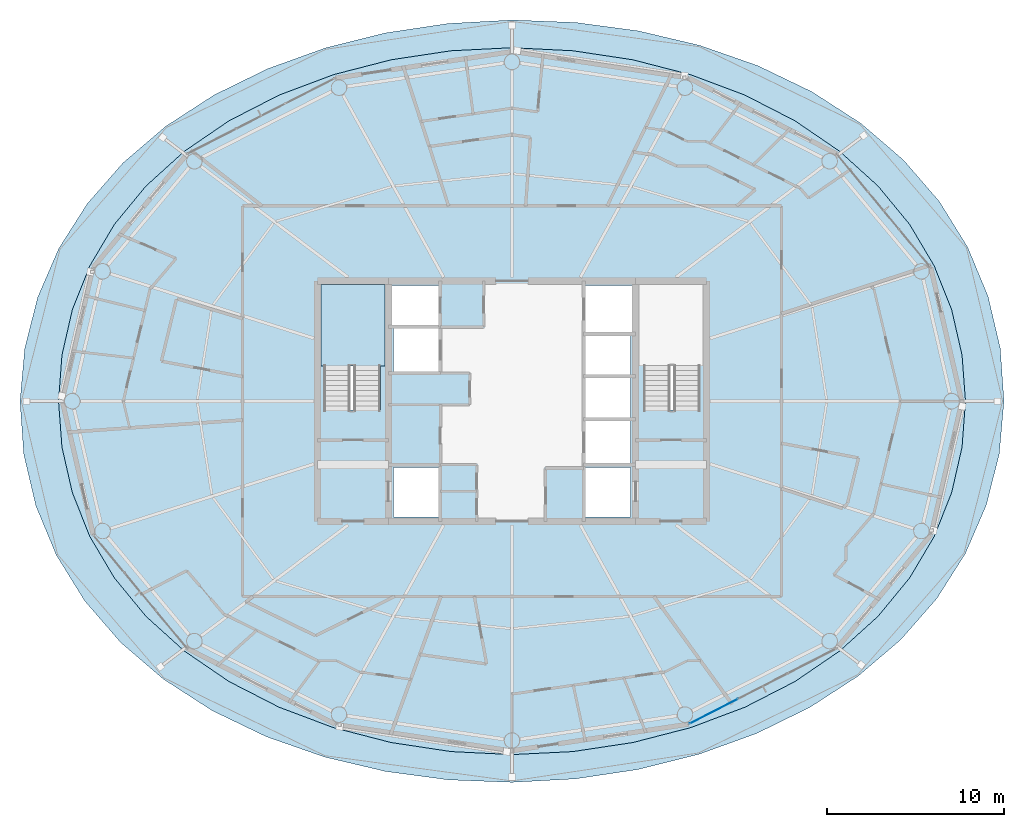
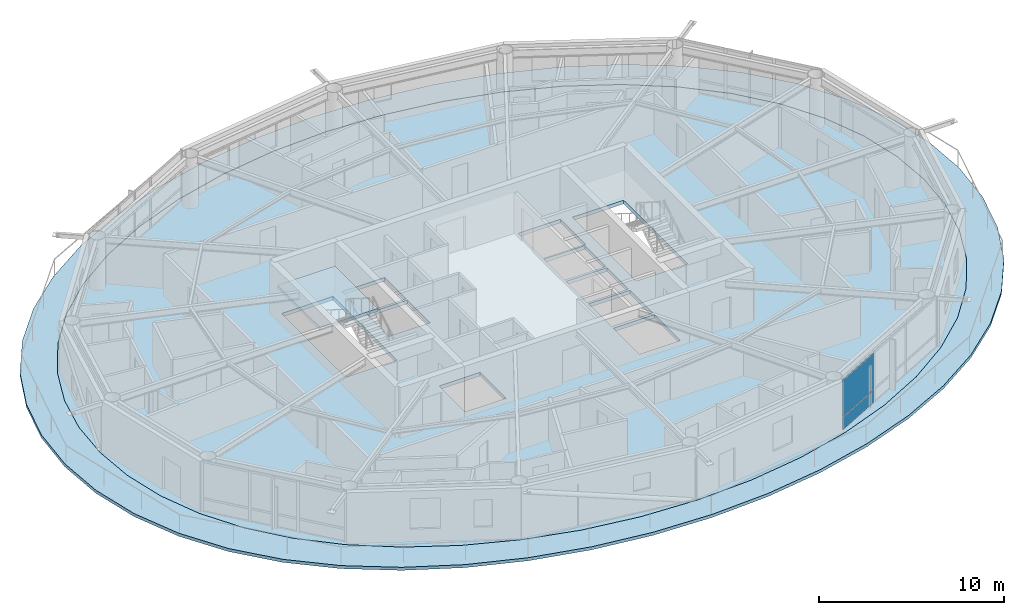
# One storey, part 13 of 23: 3 slabs, 2 plates, 2 elements without a shape of their own.
"""IFC4 building model written with IfcOpenShell, lengths in metres."""

import ifcopenshell
import ifcopenshell.guid

model = None  # the IFC model being written
_history = None  # IfcOwnerHistory: only IFC2X3 demands one
_inside = {}  # id of a spatial element -> (the spatial element, [elements in it])
_under = {}  # id of a project, library or spatial element -> (it, [spatial elements below it])
_declared = {}  # id of a project -> (the project, [libraries it declares])
_typed = {}  # id of a type object -> (the type object, [elements of that type])
_made_of = {}  # id of a material, layer set ... -> (it, [elements and type objects made of it])


def new_model(schema):
    """Start an empty IFC model of exactly this schema.

    Asked for "IFC4X3", IfcOpenShell would pick the latest addendum, in which some entities
    have other attributes; the version numbers below select the first issue.
    IFC2X3 requires an IfcOwnerHistory on every rooted entity: one is made here for all.
    """
    global model, _history
    if schema == "IFC4X3":
        model = ifcopenshell.file(schema_version=(4, 3, 0, 0))
    else:
        model = ifcopenshell.file(schema=schema)
    _inside.clear()
    _under.clear()
    _declared.clear()
    _typed.clear()
    _made_of.clear()
    _history = None
    if model.schema == "IFC2X3":
        org = make("IfcOrganization", Name="unknown")
        user = make(
            "IfcPersonAndOrganization",
            ThePerson=make("IfcPerson", FamilyName="unknown"),
            TheOrganization=org,
        )
        app = make(
            "IfcApplication",
            ApplicationDeveloper=org,
            Version="unknown",
            ApplicationFullName="unknown",
            ApplicationIdentifier="unknown",
        )
        _history = make(
            "IfcOwnerHistory",
            OwningUser=user,
            OwningApplication=app,
            ChangeAction="ADDED",
            CreationDate=0,
        )
    return model


def make(cls, **values):
    """One entity of the class cls with the attributes given. An attribute that is None is left unset."""
    return model.create_entity(
        cls, **{name: value for name, value in values.items() if value is not None}
    )


def rooted(cls, **values):
    """An entity with a GlobalId (a new one), such as an element, a storey or a relation."""
    return make(cls, GlobalId=ifcopenshell.guid.new(), OwnerHistory=_history, **values)


def si_unit(unit_type, name, prefix=None):
    """IfcSIUnit, for example si_unit("LENGTHUNIT", "METRE", prefix="MILLI")."""
    return make("IfcSIUnit", UnitType=unit_type, Prefix=prefix, Name=name)


def assignment(units):
    """IfcUnitAssignment: the units of a project."""
    return None if units is None else make("IfcUnitAssignment", Units=units)


def point(xyz):
    """IfcCartesianPoint."""
    return None if xyz is None else make("IfcCartesianPoint", Coordinates=xyz)


def direction(xyz):
    """IfcDirection."""
    return None if xyz is None else make("IfcDirection", DirectionRatios=xyz)


def frame(location, z_axis=None, x_axis=None):
    """IfcAxis2Placement3D, a coordinate frame: its origin and axes. An axis left out is left unset."""
    return make(
        "IfcAxis2Placement3D",
        Location=point(location),
        Axis=direction(z_axis),
        RefDirection=direction(x_axis),
    )


def frame_2d(location, x_axis=None):
    """IfcAxis2Placement2D, a coordinate frame in the plane: its origin and x axis."""
    return make(
        "IfcAxis2Placement2D", Location=point(location), RefDirection=direction(x_axis)
    )


def origin():
    """The frame at (0, 0, 0) with its axes left unset."""
    return frame((0.0, 0.0, 0.0))


def origin_2d():
    """The frame at (0, 0) in the plane with its x axis left unset."""
    return frame_2d((0.0, 0.0))


def place(relative_to, where):
    """IfcLocalPlacement: puts the frame where relative to a parent placement (None: the world)."""
    return make(
        "IfcLocalPlacement", PlacementRelTo=relative_to, RelativePlacement=where
    )


def context(
    kind, dimensions, precision=None, world=None, true_north=None, identifier=None
):
    """IfcGeometricRepresentationContext, for example the 3D "Model" context."""
    return make(
        "IfcGeometricRepresentationContext",
        ContextIdentifier=identifier,
        ContextType=kind,
        CoordinateSpaceDimension=dimensions,
        Precision=precision,
        WorldCoordinateSystem=world,
        TrueNorth=true_north,
    )


def subcontext(parent, identifier, kind, view, scale=None):
    """IfcGeometricRepresentationSubContext, for example "Body" below "Model"."""
    return make(
        "IfcGeometricRepresentationSubContext",
        ContextIdentifier=identifier,
        ContextType=kind,
        ParentContext=parent,
        TargetScale=scale,
        TargetView=view,
    )


def project(units=None, contexts=None):
    """IfcProject with its units and contexts."""
    return rooted(
        "IfcProject",
        Name="project",
        RepresentationContexts=contexts,
        UnitsInContext=assignment(units),
    )


def spatial(cls, under=None, at=None, **own):
    """A site, building, storey or space (cls), placed at a placement, below another one or the project."""
    s = rooted(cls, ObjectPlacement=at, **own)
    if under is not None:
        _under.setdefault(under.id(), (under, []))[1].append(s)
    return s


def polyline(points):
    """IfcPolyline through the points."""
    return make("IfcPolyline", Points=[point(p) for p in points])


def profile(cls, at=None, kind="AREA", **sizes):
    """A parametric profile (cls). Its sizes go by their IFC names, for example OverallWidth=200.0."""
    return make(cls, ProfileType=kind, Position=at, **sizes)


def rectangle(**sizes):
    """IfcRectangleProfileDef."""
    return profile("IfcRectangleProfileDef", **sizes)


def outline(outer, holes=None, kind="AREA"):
    """IfcArbitraryClosedProfileDef: a profile drawn as a closed curve; with holes, ...WithVoids."""
    if holes is None:
        return make("IfcArbitraryClosedProfileDef", ProfileType=kind, OuterCurve=outer)
    return make(
        "IfcArbitraryProfileDefWithVoids",
        ProfileType=kind,
        OuterCurve=outer,
        InnerCurves=holes,
    )


def extrude(swept, where, along, depth):
    """IfcExtrudedAreaSolid: the profile swept, set in the frame where, extruded along a direction by depth."""
    return make(
        "IfcExtrudedAreaSolid",
        SweptArea=swept,
        Position=where,
        ExtrudedDirection=direction(along),
        Depth=depth,
    )


def shape(context_of_items, identifier, shape_type, items):
    """IfcShapeRepresentation: the items that make up one representation, for example the "Body"."""
    return make(
        "IfcShapeRepresentation",
        ContextOfItems=context_of_items,
        RepresentationIdentifier=identifier,
        RepresentationType=shape_type,
        Items=items,
    )


def material(Name=None, Category=None):
    """IfcMaterial."""
    return make("IfcMaterial", Name=Name, Category=Category)


def layer(
    of_material, thickness, ventilated=None, Name=None, Category=None, Priority=None
):
    """IfcMaterialLayer: one layer of a wall or slab, of a material (None: an air gap)."""
    return make(
        "IfcMaterialLayer",
        Material=of_material,
        LayerThickness=thickness,
        IsVentilated=ventilated,
        Name=Name,
        Category=Category,
        Priority=Priority,
    )


def layer_set(layers, Name=None):
    """IfcMaterialLayerSet."""
    return make("IfcMaterialLayerSet", MaterialLayers=layers, LayerSetName=Name)


def made_of(thing, what):
    """Note that an element or type object is made of a material, layer set ...; save() writes the relation."""
    if what is not None:
        _made_of.setdefault(what.id(), (what, []))[1].append(thing)
    return thing


def type_object(cls, material=None, **own):
    """A type object (cls), such as IfcWallType, which elements share."""
    return made_of(rooted(cls, **own), material)


def element(
    cls,
    number,
    at=None,
    inside=None,
    cuts=None,
    type_object=None,
    material=None,
    context=None,
    identifier="Body",
    shape_type=None,
    held_by="IfcProductDefinitionShape",
    body=None,
    shapes=None,
    **own,
):
    """One element of the class cls, such as IfcWall. Its Tag is "e" and its number.

    at: its placement. inside: the storey or other place that contains it. cuts: it is an
    opening in that element (IfcRelVoidsElement). A single representation is given by context,
    identifier, shape_type and body (its items); several are given by shapes. held_by: the class
    of the entity that holds the representations. save() writes the other relations.
    """
    e = rooted(cls, Tag="e%d" % number, ObjectPlacement=at, **own)
    if body is not None:
        shapes = [shape(context, identifier, shape_type, body)]
    if shapes is not None:
        e.Representation = make(held_by, Representations=shapes)
    if inside is not None:
        _inside.setdefault(inside.id(), (inside, []))[1].append(e)
    if cuts is not None:
        rooted(
            "IfcRelVoidsElement", RelatingBuildingElement=cuts, RelatedOpeningElement=e
        )
    if type_object is not None:
        _typed.setdefault(type_object.id(), (type_object, []))[1].append(e)
    return made_of(e, material)


def aggregate(whole, parts):
    """IfcRelAggregates: a whole, such as a stair, and the parts it consists of."""
    return rooted("IfcRelAggregates", RelatingObject=whole, RelatedObjects=parts)


def save(model, path):
    """Write the relations noted so far, then the file.

    IfcRelAggregates (storeys below a building ...), IfcRelContainedInSpatialStructure (elements
    in a storey), IfcRelDefinesByType, IfcRelAssociatesMaterial and IfcRelDeclares: one each for
    every whole, place, type object, material and project.
    """
    for whole, parts in _under.values():
        aggregate(whole, parts)
    for where, things in _inside.values():
        rooted(
            "IfcRelContainedInSpatialStructure",
            RelatedElements=things,
            RelatingStructure=where,
        )
    for kind, things in _typed.values():
        rooted("IfcRelDefinesByType", RelatedObjects=things, RelatingType=kind)
    for what, things in _made_of.values():
        rooted("IfcRelAssociatesMaterial", RelatedObjects=things, RelatingMaterial=what)
    for by, libraries in _declared.values():
        rooted("IfcRelDeclares", RelatingContext=by, RelatedDefinitions=libraries)
    model.write(path)


model = new_model("IFC4")

# Units and contexts
model_context = context("Model", 3, precision=1e-05, world=origin(), true_north=direction((0.0, 1.0)))
body_context = subcontext(model_context, "Body", "Model", "MODEL_VIEW")
ifc_project = project(units=[si_unit("LENGTHUNIT", "METRE"), si_unit("AREAUNIT", "SQUARE_METRE"), si_unit("VOLUMEUNIT", "CUBIC_METRE"), si_unit("PLANEANGLEUNIT", "RADIAN"), si_unit("MASSUNIT", "GRAM", prefix="KILO")], contexts=[model_context])

# Site, building, storey
site_placement = place(None, origin())
site = spatial("IfcSite", under=ifc_project, at=site_placement, CompositionType="ELEMENT")
building_placement = place(site_placement, origin())
building = spatial("IfcBuilding", under=site, at=building_placement, Name="Sarneth Arch Tower", CompositionType="ELEMENT")
storey_placement = place(building_placement, frame((0.0, 0.0, 217.199951171875)))
storey = spatial("IfcBuildingStorey", under=building, at=storey_placement, Name="L55", CompositionType="ELEMENT", Elevation=217.199951171875)

# Curtain wall, plates
ifc_material_1 = material(Name="Anodised aluminium Type AA25 and solar-control low-e laminated IGU", Category="aluminium")
ifc_layer_1 = layer(ifc_material_1, 0.179931640625)
ifc_layer_set_1 = layer_set([ifc_layer_1], Name="Anodised aluminium Type AA25 and solar-control low-e laminated IGU")
curtain_wall_type = type_object("IfcCurtainWallType", Name="CW-RES-HIGH", PredefinedType="NOTDEFINED", material=ifc_layer_set_1)
curtain_wall_placement = place(storey_placement, origin())
curtain_wall = element("IfcCurtainWall", 1, at=curtain_wall_placement, inside=storey, type_object=curtain_wall_type, Name="L55 Unitised curtain wall facet 14", PredefinedType="NOTDEFINED")
ifc_material_2 = material(Name="Solar-control low-e laminated IGU", Category="glass")
ifc_layer_2 = layer(ifc_material_2, 0.028076171875)
ifc_layer_set_2 = layer_set([ifc_layer_2], Name="Solar-control low-e laminated IGU")
plate_type = type_object("IfcPlateType", Name="CW-PANEL", PredefinedType="CURTAIN_PANEL", material=ifc_layer_set_2)
plate_1_placement = place(storey_placement, frame((59.4208984375, 24.447021484375, 0.06005859375), z_axis=(0.0, 0.0, 1.0), x_axis=(0.890009540525, 0.455941901753, 0.0)))
plate_1 = element("IfcPlate", 2, at=plate_1_placement, type_object=plate_type, Name="Curtain wall glazed vision pane CW-L55-F14/P00-00", PredefinedType="CURTAIN_PANEL", context=body_context, shape_type="SweptSolid", body=[
    extrude(rectangle(XDim=3.044677734375, YDim=0.028076171875, at=origin_2d()), origin(), (0.0, 0.0, 1.0), 0.81005859375),
])
plate_2_placement = place(storey_placement, frame((59.4208984375, 24.447021484375, 0.929931640625), z_axis=(0.0, 0.0, 1.0), x_axis=(0.890009540525, 0.455941901753, 0.0)))
plate_2 = element("IfcPlate", 3, at=plate_2_placement, type_object=plate_type, Name="Curtain wall glazed vision pane CW-L55-F14/P00-01", PredefinedType="CURTAIN_PANEL", context=body_context, shape_type="SweptSolid", body=[
    extrude(rectangle(XDim=3.044677734375, YDim=0.028076171875, at=origin_2d()), origin(), (0.0, 0.0, 1.0), 2.3701171875),
])
aggregate(curtain_wall, [plate_1, plate_2])

# Slab
ifc_material_3 = material(Name="Concrete C50/60", Category="concrete")
ifc_layer_3 = layer(ifc_material_3, 0.199951171875)
ifc_layer_set_3 = layer_set([ifc_layer_3], Name="Concrete C50/60")
slab_type_1 = type_object("IfcSlabType", Name="SLAB-BALC-200", PredefinedType="FLOOR", material=ifc_layer_set_3)
slab_1_placement = place(storey_placement, frame((0.0, 0.0, -0.199951171875)))
element("IfcSlab", 4, at=slab_1_placement, inside=storey, type_object=slab_type_1, Name="L55 Helical balcony band slab", PredefinedType="FLOOR", context=body_context, shape_type="SweptSolid", body=[
    extrude(outline(polyline([(75.84130859375, 42.0), (75.630615234375, 44.9970703125), (74.942626953125, 47.924560546875), (73.787353515625, 50.7109375), (72.182373046875, 53.30029296875), (70.15234375, 55.650146484375), (67.73095703125, 57.729248046875), (64.96337890625, 59.51416015625), (61.904541015625, 60.987060546875), (58.61669921875, 62.135498046875), (55.163330078125, 62.951416015625), (51.60546875, 63.4296875), (48.0, 63.569580078125), (44.400146484375, 63.37255859375), (40.858642578125, 62.84228515625), (37.43017578125, 61.985595703125), (34.17236328125, 60.810791015625), (31.144287109375, 59.328369140625), (28.402587890625, 57.5517578125), (25.997802734375, 55.49658203125), (23.969970703125, 53.182373046875), (22.349853515625, 50.634521484375), (21.161865234375, 47.88671875), (20.426025390625, 44.987060546875), (20.15869140625, 42.0), (20.369384765625, 39.0029296875), (21.057373046875, 36.075439453125), (22.212646484375, 33.2890625), (23.817626953125, 30.69970703125), (25.84765625, 28.349853515625), (28.26904296875, 26.270751953125), (31.03662109375, 24.48583984375), (34.095458984375, 23.012939453125), (37.38330078125, 21.864501953125), (40.836669921875, 21.048583984375), (44.39453125, 20.5703125), (48.0, 20.430419921875), (51.599853515625, 20.62744140625), (55.141357421875, 21.15771484375), (58.56982421875, 22.014404296875), (61.82763671875, 23.189208984375), (64.855712890625, 24.671630859375), (67.597412109375, 26.4482421875), (70.002197265625, 28.50341796875), (72.030029296875, 30.817626953125), (73.650146484375, 33.365478515625), (74.838134765625, 36.11328125), (75.573974609375, 39.012939453125), (75.84130859375, 42.0)]), holes=[polyline([(73.660888671875, 42.0), (73.466064453125, 44.610595703125), (72.87890625, 47.17626953125), (71.892822265625, 49.653564453125), (70.5029296875, 52.0), (68.712158203125, 54.17529296875), (66.536865234375, 56.14208984375), (64.009521484375, 57.8671875), (61.177001953125, 59.320556640625), (58.0966796875, 60.4775390625), (54.83203125, 61.318603515625), (51.44580078125, 61.828857421875), (48.0, 62.0), (44.55419921875, 61.828857421875), (41.16796875, 61.318603515625), (37.9033203125, 60.4775390625), (34.822998046875, 59.320556640625), (31.990478515625, 57.8671875), (29.463134765625, 56.14208984375), (27.287841796875, 54.17529296875), (25.4970703125, 52.0), (24.107177734375, 49.653564453125), (23.12109375, 47.17626953125), (22.533935546875, 44.610595703125), (22.339111328125, 42.0), (22.533935546875, 39.389404296875), (23.12109375, 36.82373046875), (24.107177734375, 34.346435546875), (25.4970703125, 32.0), (27.287841796875, 29.82470703125), (29.463134765625, 27.85791015625), (31.990478515625, 26.1328125), (34.822998046875, 24.679443359375), (37.9033203125, 23.5224609375), (41.16796875, 22.681396484375), (44.55419921875, 22.171142578125), (48.0, 22.0), (51.44580078125, 22.171142578125), (54.83203125, 22.681396484375), (58.0966796875, 23.5224609375), (61.177001953125, 24.679443359375), (64.009521484375, 26.1328125), (66.536865234375, 27.85791015625), (68.712158203125, 29.82470703125), (70.5029296875, 32.0), (71.892822265625, 34.346435546875), (72.87890625, 36.82373046875), (73.466064453125, 39.389404296875), (73.660888671875, 42.0)])]), origin(), (0.0, 0.0, 1.0), 0.199951171875),
])

# Stair, slab
ifc_material_4 = material(Name="Concrete C50/60", Category="concrete")
stair_type = type_object("IfcStairType", Name="STAIR-CORE-RC", PredefinedType="HALF_TURN_STAIR", material=ifc_material_4)
stair_placement = place(storey_placement, origin())
stair = element("IfcStair", 5, at=stair_placement, inside=storey, type_object=stair_type, Name="L55 Core Exit Stair 1", PredefinedType="HALF_TURN_STAIR")
ifc_material_5 = material(Name="Concrete C50/60", Category="concrete")
ifc_layer_4 = layer(ifc_material_5, 0.199951171875)
ifc_layer_set_4 = layer_set([ifc_layer_4], Name="Concrete C50/60")
slab_type_2 = type_object("IfcSlabType", Name="SLAB-LANDING-200", PredefinedType="LANDING", material=ifc_layer_set_4)
slab_2_placement = place(storey_placement, frame((0.0, 0.0, 1.60009765625)))
slab_2 = element("IfcSlab", 6, at=slab_2_placement, type_object=slab_type_2, Name="ST-1 landing 1", PredefinedType="LANDING", context=body_context, shape_type="SweptSolid", body=[
    extrude(outline(polyline([(37.199951171875, 43.985107421875), (40.800048828125, 43.985107421875), (40.800048828125, 48.60009765625), (37.199951171875, 48.60009765625), (37.199951171875, 43.985107421875)])), origin(), (0.0, 0.0, 1.0), 0.199951171875),
])
aggregate(stair, [slab_2])

# Slab
ifc_material_6 = material(Name="Concrete C50/60", Category="concrete")
ifc_layer_5 = layer(ifc_material_6, 0.239990234375)
ifc_layer_set_5 = layer_set([ifc_layer_5], Name="Concrete C50/60")
slab_type_3 = type_object("IfcSlabType", Name="SLAB-TOWER-240", PredefinedType="FLOOR", material=ifc_layer_set_5)
slab_3_placement = place(storey_placement, frame((0.0, 0.0, -0.239990234375)))
element("IfcSlab", 7, at=slab_3_placement, inside=storey, type_object=slab_type_3, Name="L55 Elliptical floor slab", PredefinedType="FLOOR", context=body_context, shape_type="SweptSolid", body=[
    extrude(outline(polyline([(73.660888671875, 42.0), (73.466064453125, 44.610595703125), (72.87890625, 47.17626953125), (71.892822265625, 49.653564453125), (70.5029296875, 52.0), (68.712158203125, 54.17529296875), (66.536865234375, 56.14208984375), (64.009521484375, 57.8671875), (61.177001953125, 59.320556640625), (58.0966796875, 60.4775390625), (54.83203125, 61.318603515625), (51.44580078125, 61.828857421875), (48.0, 62.0), (44.55419921875, 61.828857421875), (41.16796875, 61.318603515625), (37.9033203125, 60.4775390625), (34.822998046875, 59.320556640625), (31.990478515625, 57.8671875), (29.463134765625, 56.14208984375), (27.287841796875, 54.17529296875), (25.4970703125, 52.0), (24.107177734375, 49.653564453125), (23.12109375, 47.17626953125), (22.533935546875, 44.610595703125), (22.339111328125, 42.0), (22.533935546875, 39.389404296875), (23.12109375, 36.82373046875), (24.107177734375, 34.346435546875), (25.4970703125, 32.0), (27.287841796875, 29.82470703125), (29.463134765625, 27.85791015625), (31.990478515625, 26.1328125), (34.822998046875, 24.679443359375), (37.9033203125, 23.5224609375), (41.16796875, 22.681396484375), (44.55419921875, 22.171142578125), (48.0, 22.0), (51.44580078125, 22.171142578125), (54.83203125, 22.681396484375), (58.0966796875, 23.5224609375), (61.177001953125, 24.679443359375), (64.009521484375, 26.1328125), (66.536865234375, 27.85791015625), (68.712158203125, 29.82470703125), (70.5029296875, 32.0), (71.892822265625, 34.346435546875), (72.87890625, 36.82373046875), (73.466064453125, 39.389404296875), (73.660888671875, 42.0)]), holes=[polyline([(37.35009765625, 41.489990234375), (40.550048828125, 41.489990234375), (40.550048828125, 48.39990234375), (37.35009765625, 48.39990234375), (37.35009765625, 41.489990234375)]), polyline([(55.449951171875, 41.489990234375), (58.64990234375, 41.489990234375), (58.64990234375, 48.39990234375), (55.449951171875, 48.39990234375), (55.449951171875, 41.489990234375)]), polyline([(41.199951171875, 46.25), (43.85009765625, 46.25), (43.85009765625, 48.550048828125), (41.199951171875, 48.550048828125), (41.199951171875, 46.25)]), polyline([(41.300048828125, 35.449951171875), (43.85009765625, 35.449951171875), (43.85009765625, 38.25), (41.300048828125, 38.25), (41.300048828125, 35.449951171875)]), polyline([(52.14990234375, 35.449951171875), (54.699951171875, 35.449951171875), (54.699951171875, 38.25), (52.14990234375, 38.25), (52.14990234375, 35.449951171875)]), polyline([(52.14990234375, 45.85009765625), (54.800048828125, 45.85009765625), (54.800048828125, 48.550048828125), (52.14990234375, 48.550048828125), (52.14990234375, 45.85009765625)]), polyline([(41.300048828125, 43.64990234375), (43.85009765625, 43.64990234375), (43.85009765625, 46.10009765625), (41.300048828125, 46.10009765625), (41.300048828125, 43.64990234375)]), polyline([(52.14990234375, 38.449951171875), (54.699951171875, 38.449951171875), (54.699951171875, 40.89990234375), (52.14990234375, 40.89990234375), (52.14990234375, 38.449951171875)]), polyline([(52.14990234375, 41.050048828125), (54.699951171875, 41.050048828125), (54.699951171875, 43.35009765625), (52.14990234375, 43.35009765625), (52.14990234375, 41.050048828125)]), polyline([(52.14990234375, 43.5), (54.699951171875, 43.5), (54.699951171875, 45.75), (52.14990234375, 45.75), (52.14990234375, 43.5)])]), origin(), (0.0, 0.0, 1.0), 0.239990234375),
])

save(model, "model.ifc")
